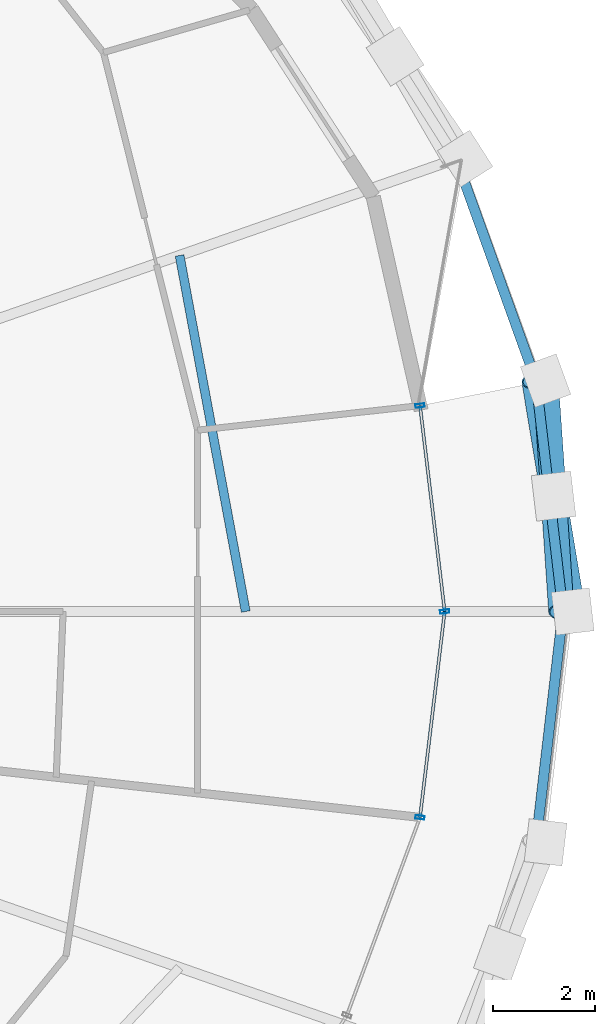
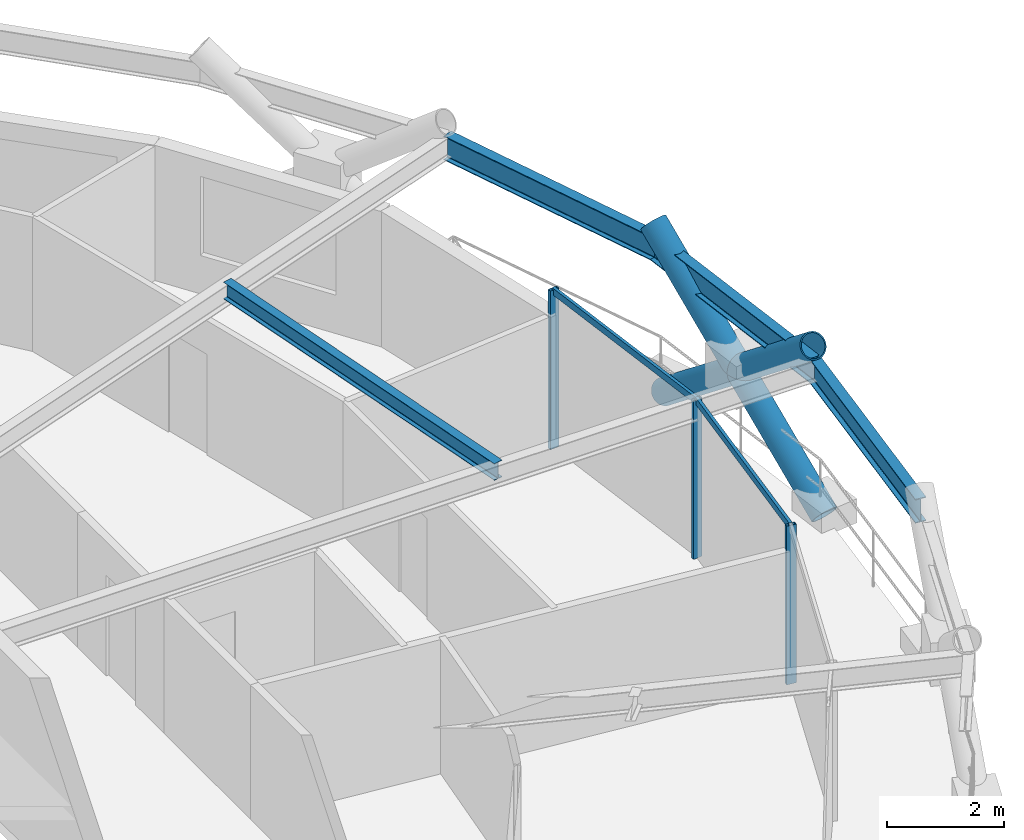
# One storey, part 10 of 17: 8 members, 4 beams, 1 element without a shape of its own.
"""IFC4 building model written with IfcOpenShell, lengths in metres."""

from ifc_helpers import new_model, si_unit, direction, frame, origin, origin_2d, place, context, subcontext, project, spatial, hollow_rectangle, hollow_circle, i_section, extrude, material, layer, layer_set, material_profile, profile_set, type_object, element, aggregate, save


model = new_model("IFC4")

# Units and contexts
model_context = context("Model", 3, precision=1e-05, world=origin(), true_north=direction((0.0, 1.0)))
body_context = subcontext(model_context, "Body", "Model", "MODEL_VIEW")
ifc_project = project(units=[si_unit("LENGTHUNIT", "METRE"), si_unit("AREAUNIT", "SQUARE_METRE"), si_unit("VOLUMEUNIT", "CUBIC_METRE"), si_unit("PLANEANGLEUNIT", "RADIAN"), si_unit("MASSUNIT", "GRAM", prefix="KILO")], contexts=[model_context])

# Site, building, storey
site_placement = place(None, origin())
site = spatial("IfcSite", under=ifc_project, at=site_placement, CompositionType="ELEMENT")
building_placement = place(site_placement, origin())
building = spatial("IfcBuilding", under=site, at=building_placement, Name="Veldorina Hangang Commons", CompositionType="ELEMENT")
storey_placement = place(building_placement, frame((0.0, 0.0, 178.39990234375)))
storey = spatial("IfcBuildingStorey", under=building, at=storey_placement, Name="L46", CompositionType="ELEMENT", Elevation=178.39990234375)

# Beams
ifc_material_1 = material(Name="Steel SM355-TMC", Category="steel")
ifc_material_profile_1 = material_profile(ifc_material_1, i_section(OverallWidth=0.175048828125, OverallDepth=0.35009765625, WebThickness=0.007080078125, FlangeThickness=0.010986328125, FilletRadius=0.012939453125, at=origin_2d()), Name="H-350x175x7x11")
ifc_profile_set_1 = profile_set([ifc_material_profile_1], Name="Steel SM355-TMC")
beam_type_1 = type_object("IfcBeamType", Name="BM-JST350", PredefinedType="JOIST", material=ifc_profile_set_1)
beam_1_placement = place(storey_placement, frame((53.364990234375, 24.0, 3.175048828125), z_axis=(-0.182830143219, 0.98314451569, 0.0), x_axis=(-0.98314451569, -0.182830143219, 0.0)))
element("IfcBeam", 1, at=beam_1_placement, inside=storey, type_object=beam_type_1, Name="L46 secondary floor joist 01", PredefinedType="JOIST", context=body_context, shape_type="SweptSolid", body=[
    extrude(i_section(OverallWidth=0.175048828125, OverallDepth=0.35009765625, WebThickness=0.007080078125, FlangeThickness=0.010986328125, FilletRadius=0.012939453125, at=origin_2d()), origin(), (0.0, 0.0, 1.0), 7.126708984375),
])
ifc_material_2 = material(Name="Steel SM420-TMC", Category="steel")
ifc_material_profile_2 = material_profile(ifc_material_2, i_section(OverallWidth=0.199951171875, OverallDepth=0.5, WebThickness=0.010009765625, FlangeThickness=0.01611328125, FilletRadius=0.01611328125, at=origin_2d()), Name="H-500x200x10x16")
ifc_profile_set_2 = profile_set([ifc_material_profile_2], Name="Steel SM420-TMC")
beam_type_2 = type_object("IfcBeamType", Name="BM-RB500", PredefinedType="BEAM", material=ifc_profile_set_2)
beam_2_placement = place(storey_placement, frame((59.607177734375, 24.0, 3.10009765625), z_axis=(-0.116032593305, 0.993245406378, 0.0), x_axis=(-0.993245406378, -0.116032593305, 0.0)))
element("IfcBeam", 2, at=beam_2_placement, inside=storey, type_object=beam_type_2, Name="L46 perimeter hoop ring beam 00", PredefinedType="BEAM", context=body_context, shape_type="SweptSolid", body=[
    extrude(i_section(OverallWidth=0.199951171875, OverallDepth=0.5, WebThickness=0.010009765625, FlangeThickness=0.01611328125, FilletRadius=0.01611328125, at=origin_2d()), origin(), (0.0, 0.0, 1.0), 4.572021484375),
])
beam_3_placement = place(storey_placement, frame((59.07666015625, 28.541259765625, 3.10009765625), z_axis=(-0.338488453907, 0.940970545008, 0.0), x_axis=(-0.940970545008, -0.338488453907, 0.0)))
element("IfcBeam", 3, at=beam_3_placement, inside=storey, type_object=beam_type_2, Name="L46 perimeter hoop ring beam 01", PredefinedType="BEAM", context=body_context, shape_type="SweptSolid", body=[
    extrude(i_section(OverallWidth=0.199951171875, OverallDepth=0.5, WebThickness=0.010009765625, FlangeThickness=0.01611328125, FilletRadius=0.01611328125, at=origin_2d()), origin(), (0.0, 0.0, 1.0), 4.640625),
])
beam_4_placement = place(storey_placement, frame((59.07666015625, 19.458740234375, 3.10009765625), z_axis=(0.116032593305, 0.993245406378, 0.0), x_axis=(-0.993245406378, 0.116032593305, 0.0)))
element("IfcBeam", 4, at=beam_4_placement, inside=storey, type_object=beam_type_2, Name="L46 perimeter hoop ring beam 31", PredefinedType="BEAM", context=body_context, shape_type="SweptSolid", body=[
    extrude(i_section(OverallWidth=0.199951171875, OverallDepth=0.5, WebThickness=0.010009765625, FlangeThickness=0.01611328125, FilletRadius=0.01611328125, at=origin_2d()), origin(), (0.0, 0.0, 1.0), 4.572021484375),
])

# Curtain wall, members
ifc_material_3 = material(Name="Glass Low-E Triple IGU", Category="glass")
ifc_layer = layer(ifc_material_3, 0.179931640625)
ifc_layer_set = layer_set([ifc_layer], Name="Glass Low-E Triple IGU")
curtain_wall_type = type_object("IfcCurtainWallType", Name="CW-SYS-Z2", PredefinedType="NOTDEFINED", material=ifc_layer_set)
curtain_wall_placement = place(storey_placement, origin())
curtain_wall = element("IfcCurtainWall", 5, at=curtain_wall_placement, inside=storey, type_object=curtain_wall_type, Name="L46 unitised curtain wall CW-L46-R2", PredefinedType="NOTDEFINED")
ifc_material_4 = material(Name="Aluminium Anodized AA6063-T6", Category="aluminium")
ifc_material_profile_3 = material_profile(ifc_material_4, hollow_rectangle(XDim=0.070068359375, YDim=0.179931640625, WallThickness=0.00390625, at=origin_2d()), Name="ALU-RHS-180x70x4")
ifc_profile_set_3 = profile_set([ifc_material_profile_3], Name="Aluminium Anodized AA6063-T6")
member_type_1 = type_object("IfcMemberType", Name="CW-MUL-180", PredefinedType="MULLION", material=ifc_profile_set_3)
member_1_placement = place(storey_placement, frame((56.793701171875, 19.948486328125, 0.0), z_axis=(0.0, 0.0, 1.0), x_axis=(0.119027843523, 0.992890916701, 0.0)))
member_1 = element("IfcMember", 6, at=member_1_placement, type_object=member_type_1, Name="CW-L46-R2 vertical mullion 3", PredefinedType="MULLION", context=body_context, shape_type="SweptSolid", body=[
    extrude(hollow_rectangle(XDim=0.070068359375, YDim=0.179931640625, WallThickness=0.00390625, at=origin_2d()), origin(), (0.0, 0.0, 1.0), 3.31005859375),
])
member_2_placement = place(storey_placement, frame((57.279541015625, 24.0, 0.0), z_axis=(0.0, 0.0, 1.0), x_axis=(-0.119027843523, 0.992890916701, 0.0)))
member_2 = element("IfcMember", 7, at=member_2_placement, type_object=member_type_1, Name="CW-L46-R2 vertical mullion 4", PredefinedType="MULLION", context=body_context, shape_type="SweptSolid", body=[
    extrude(hollow_rectangle(XDim=0.070068359375, YDim=0.179931640625, WallThickness=0.00390625, at=origin_2d()), origin(), (0.0, 0.0, 1.0), 3.31005859375),
])
member_3_placement = place(storey_placement, frame((56.793701171875, 28.051513671875, 0.0), z_axis=(0.0, 0.0, 1.0), x_axis=(0.119027843523, -0.992890916701, 0.0)))
member_3 = element("IfcMember", 8, at=member_3_placement, type_object=member_type_1, Name="CW-L46-R2 vertical mullion 5", PredefinedType="MULLION", context=body_context, shape_type="SweptSolid", body=[
    extrude(hollow_rectangle(XDim=0.070068359375, YDim=0.179931640625, WallThickness=0.00390625, at=origin_2d()), origin(), (0.0, 0.0, 1.0), 3.31005859375),
])
ifc_material_profile_4 = material_profile(ifc_material_4, hollow_rectangle(XDim=0.06005859375, YDim=0.139892578125, WallThickness=0.00341796875, at=origin_2d()), Name="ALU-RHS-140x60x3.5")
ifc_profile_set_4 = profile_set([ifc_material_profile_4], Name="Aluminium Anodized AA6063-T6")
member_type_2 = type_object("IfcMemberType", Name="CW-TRN-140", PredefinedType="USERDEFINED", material=ifc_profile_set_4)
member_4_placement = place(storey_placement, frame((56.793701171875, 19.948486328125, 3.27001953125), z_axis=(0.1190626466, 0.992886743886, 0.0), x_axis=(-0.992886743886, 0.1190626466, 0.0)))
member_4 = element("IfcMember", 9, at=member_4_placement, type_object=member_type_2, Name="CW-L46-R2 facet 4 transom 1", ObjectType="TRANSOM", PredefinedType="USERDEFINED", context=body_context, shape_type="SweptSolid", body=[
    extrude(hollow_rectangle(XDim=0.06005859375, YDim=0.139892578125, WallThickness=0.00341796875, at=origin_2d()), origin(), (0.0, 0.0, 1.0), 4.08056640625),
])
member_5_placement = place(storey_placement, frame((57.279541015625, 24.0, 3.27001953125), z_axis=(-0.1190626466, 0.992886743886, 0.0), x_axis=(-0.992886743886, -0.1190626466, 0.0)))
member_5 = element("IfcMember", 10, at=member_5_placement, type_object=member_type_2, Name="CW-L46-R2 facet 5 transom 1", ObjectType="TRANSOM", PredefinedType="USERDEFINED", context=body_context, shape_type="SweptSolid", body=[
    extrude(hollow_rectangle(XDim=0.06005859375, YDim=0.139892578125, WallThickness=0.00341796875, at=origin_2d()), origin(), (0.0, 0.0, 1.0), 4.08056640625),
])
aggregate(curtain_wall, [member_1, member_2, member_3, member_4, member_5])

# Members
ifc_material_profile_5 = material_profile(ifc_material_2, hollow_circle(Radius=0.25, WallThickness=0.02490234375, at=origin_2d()), Name="CHS-500x25")
ifc_profile_set_5 = profile_set([ifc_material_profile_5], Name="Steel SM420-TMC")
member_type_3 = type_object("IfcMemberType", Name="DG-CHS500", PredefinedType="BRACE", material=ifc_profile_set_5)
member_6_placement = place(storey_placement, frame((59.799560546875, 24.0, 0.0), z_axis=(-0.128886525696, 0.777079214891, 0.61606505929), x_axis=(-0.986522633521, -0.163624856151, 0.0)))
element("IfcMember", 11, at=member_6_placement, inside=storey, type_object=member_type_3, Name="L46 continuous perimeter diagrid brace 00", PredefinedType="BRACE", context=body_context, shape_type="SweptSolid", body=[
    extrude(hollow_circle(Radius=0.25, WallThickness=0.02490234375, at=origin_2d()), origin(), (0.0, 0.0, 1.0), 5.84375),
])
member_7_placement = place(storey_placement, frame((59.265380859375, 28.543212890625, 0.0), z_axis=(0.054236755937, -0.782606957372, 0.620148953542), x_axis=(0.997607185416, 0.069136846953, 0.0)))
element("IfcMember", 12, at=member_7_placement, inside=storey, type_object=member_type_3, Name="L46 split perimeter diagrid lower brace 01", PredefinedType="BRACE", context=body_context, shape_type="SweptSolid", body=[
    extrude(hollow_circle(Radius=0.25, WallThickness=0.02490234375, at=origin_2d()), origin(), (0.0, 0.0, 1.0), 2.9033203125),
])
member_8_placement = place(storey_placement, frame((59.4228515625, 26.27099609375, 1.800537109375), z_axis=(0.052839713177, -0.782667216516, 0.620193512464), x_axis=(0.997728801438, 0.067359028951, 0.0)))
element("IfcMember", 13, at=member_8_placement, inside=storey, type_object=member_type_3, Name="L46 split perimeter diagrid upper brace 01", PredefinedType="BRACE", context=body_context, shape_type="SweptSolid", body=[
    extrude(hollow_circle(Radius=0.25, WallThickness=0.02490234375, at=origin_2d()), origin(), (0.0, 0.0, 1.0), 2.901611328125),
])

save(model, "model.ifc")
